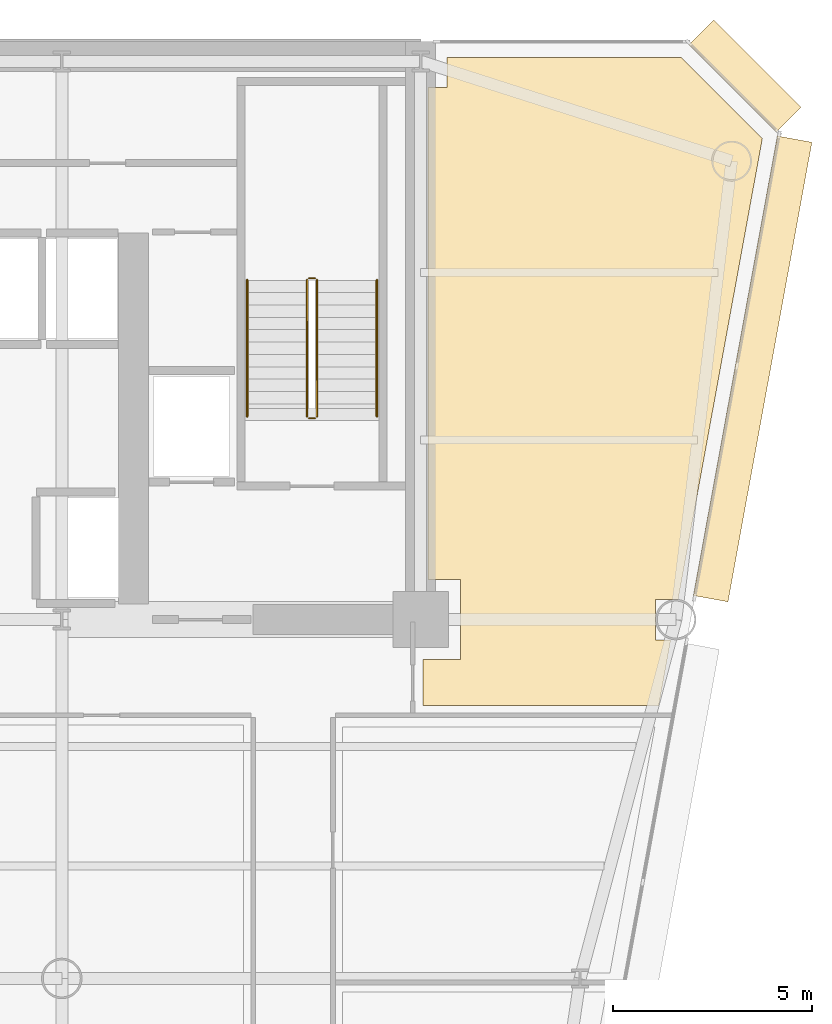
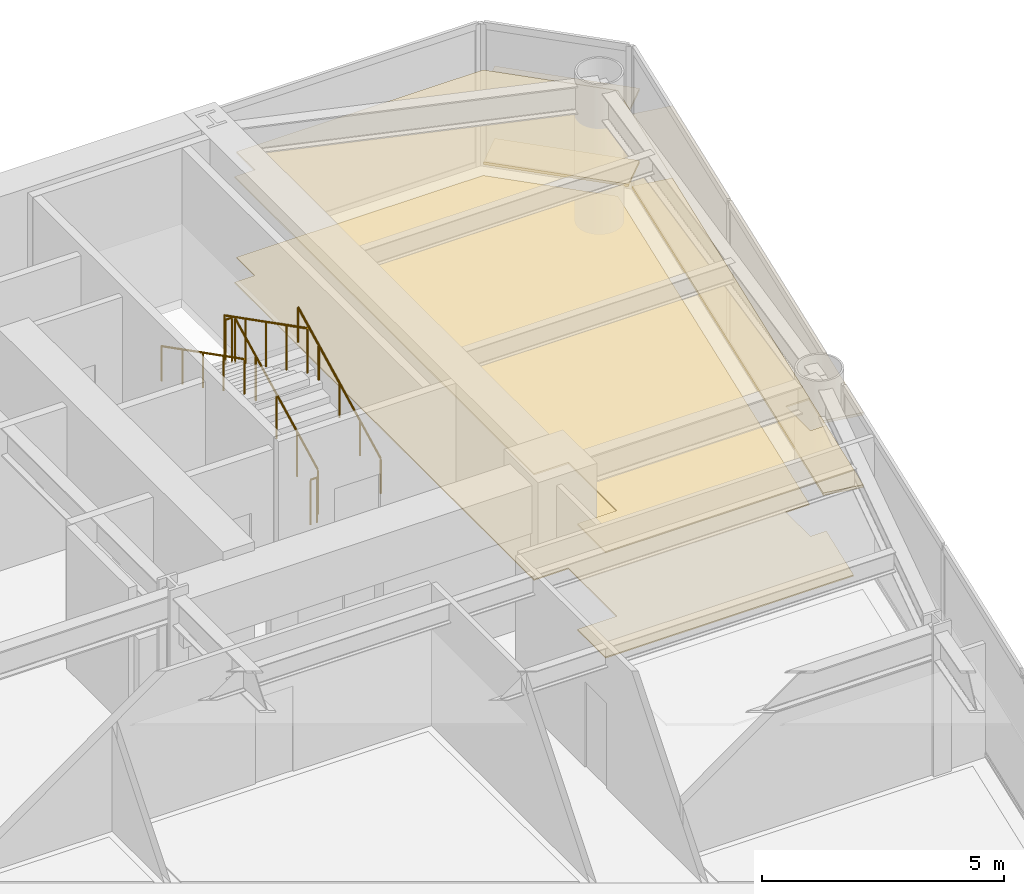
# One storey, part 14 of 14: 6 coverings, 6 railings.
"""IFC4 building model written with IfcOpenShell, lengths in metres."""

import ifcopenshell
import ifcopenshell.guid

model = None  # the IFC model being written
_history = None  # IfcOwnerHistory: only IFC2X3 demands one
_inside = {}  # id of a spatial element -> (the spatial element, [elements in it])
_under = {}  # id of a project, library or spatial element -> (it, [spatial elements below it])
_declared = {}  # id of a project -> (the project, [libraries it declares])
_typed = {}  # id of a type object -> (the type object, [elements of that type])
_made_of = {}  # id of a material, layer set ... -> (it, [elements and type objects made of it])


def new_model(schema):
    """Start an empty IFC model of exactly this schema.

    Asked for "IFC4X3", IfcOpenShell would pick the latest addendum, in which some entities
    have other attributes; the version numbers below select the first issue.
    IFC2X3 requires an IfcOwnerHistory on every rooted entity: one is made here for all.
    """
    global model, _history
    if schema == "IFC4X3":
        model = ifcopenshell.file(schema_version=(4, 3, 0, 0))
    else:
        model = ifcopenshell.file(schema=schema)
    _inside.clear()
    _under.clear()
    _declared.clear()
    _typed.clear()
    _made_of.clear()
    _history = None
    if model.schema == "IFC2X3":
        org = make("IfcOrganization", Name="unknown")
        user = make(
            "IfcPersonAndOrganization",
            ThePerson=make("IfcPerson", FamilyName="unknown"),
            TheOrganization=org,
        )
        app = make(
            "IfcApplication",
            ApplicationDeveloper=org,
            Version="unknown",
            ApplicationFullName="unknown",
            ApplicationIdentifier="unknown",
        )
        _history = make(
            "IfcOwnerHistory",
            OwningUser=user,
            OwningApplication=app,
            ChangeAction="ADDED",
            CreationDate=0,
        )
    return model


def make(cls, **values):
    """One entity of the class cls with the attributes given. An attribute that is None is left unset."""
    return model.create_entity(
        cls, **{name: value for name, value in values.items() if value is not None}
    )


def rooted(cls, **values):
    """An entity with a GlobalId (a new one), such as an element, a storey or a relation."""
    return make(cls, GlobalId=ifcopenshell.guid.new(), OwnerHistory=_history, **values)


def si_unit(unit_type, name, prefix=None):
    """IfcSIUnit, for example si_unit("LENGTHUNIT", "METRE", prefix="MILLI")."""
    return make("IfcSIUnit", UnitType=unit_type, Prefix=prefix, Name=name)


def assignment(units):
    """IfcUnitAssignment: the units of a project."""
    return None if units is None else make("IfcUnitAssignment", Units=units)


def point(xyz):
    """IfcCartesianPoint."""
    return None if xyz is None else make("IfcCartesianPoint", Coordinates=xyz)


def direction(xyz):
    """IfcDirection."""
    return None if xyz is None else make("IfcDirection", DirectionRatios=xyz)


def frame(location, z_axis=None, x_axis=None):
    """IfcAxis2Placement3D, a coordinate frame: its origin and axes. An axis left out is left unset."""
    return make(
        "IfcAxis2Placement3D",
        Location=point(location),
        Axis=direction(z_axis),
        RefDirection=direction(x_axis),
    )


def frame_2d(location, x_axis=None):
    """IfcAxis2Placement2D, a coordinate frame in the plane: its origin and x axis."""
    return make(
        "IfcAxis2Placement2D", Location=point(location), RefDirection=direction(x_axis)
    )


def origin():
    """The frame at (0, 0, 0) with its axes left unset."""
    return frame((0.0, 0.0, 0.0))


def origin_2d():
    """The frame at (0, 0) in the plane with its x axis left unset."""
    return frame_2d((0.0, 0.0))


def place(relative_to, where):
    """IfcLocalPlacement: puts the frame where relative to a parent placement (None: the world)."""
    return make(
        "IfcLocalPlacement", PlacementRelTo=relative_to, RelativePlacement=where
    )


def context(
    kind, dimensions, precision=None, world=None, true_north=None, identifier=None
):
    """IfcGeometricRepresentationContext, for example the 3D "Model" context."""
    return make(
        "IfcGeometricRepresentationContext",
        ContextIdentifier=identifier,
        ContextType=kind,
        CoordinateSpaceDimension=dimensions,
        Precision=precision,
        WorldCoordinateSystem=world,
        TrueNorth=true_north,
    )


def subcontext(parent, identifier, kind, view, scale=None):
    """IfcGeometricRepresentationSubContext, for example "Body" below "Model"."""
    return make(
        "IfcGeometricRepresentationSubContext",
        ContextIdentifier=identifier,
        ContextType=kind,
        ParentContext=parent,
        TargetScale=scale,
        TargetView=view,
    )


def project(units=None, contexts=None):
    """IfcProject with its units and contexts."""
    return rooted(
        "IfcProject",
        Name="project",
        RepresentationContexts=contexts,
        UnitsInContext=assignment(units),
    )


def spatial(cls, under=None, at=None, **own):
    """A site, building, storey or space (cls), placed at a placement, below another one or the project."""
    s = rooted(cls, ObjectPlacement=at, **own)
    if under is not None:
        _under.setdefault(under.id(), (under, []))[1].append(s)
    return s


def polyline(points):
    """IfcPolyline through the points."""
    return make("IfcPolyline", Points=[point(p) for p in points])


def profile(cls, at=None, kind="AREA", **sizes):
    """A parametric profile (cls). Its sizes go by their IFC names, for example OverallWidth=200.0."""
    return make(cls, ProfileType=kind, Position=at, **sizes)


def rectangle(**sizes):
    """IfcRectangleProfileDef."""
    return profile("IfcRectangleProfileDef", **sizes)


def circle(**sizes):
    """IfcCircleProfileDef."""
    return profile("IfcCircleProfileDef", **sizes)


def outline(outer, holes=None, kind="AREA"):
    """IfcArbitraryClosedProfileDef: a profile drawn as a closed curve; with holes, ...WithVoids."""
    if holes is None:
        return make("IfcArbitraryClosedProfileDef", ProfileType=kind, OuterCurve=outer)
    return make(
        "IfcArbitraryProfileDefWithVoids",
        ProfileType=kind,
        OuterCurve=outer,
        InnerCurves=holes,
    )


def extrude(swept, where, along, depth):
    """IfcExtrudedAreaSolid: the profile swept, set in the frame where, extruded along a direction by depth."""
    return make(
        "IfcExtrudedAreaSolid",
        SweptArea=swept,
        Position=where,
        ExtrudedDirection=direction(along),
        Depth=depth,
    )


def shape(context_of_items, identifier, shape_type, items):
    """IfcShapeRepresentation: the items that make up one representation, for example the "Body"."""
    return make(
        "IfcShapeRepresentation",
        ContextOfItems=context_of_items,
        RepresentationIdentifier=identifier,
        RepresentationType=shape_type,
        Items=items,
    )


def source(mapping_origin, context_of_items, identifier, shape_type, items):
    """IfcRepresentationMap: a shape defined once, which mapped items show again and again."""
    return make(
        "IfcRepresentationMap",
        MappingOrigin=mapping_origin,
        MappedRepresentation=shape(context_of_items, identifier, shape_type, items),
    )


def transform(
    local_origin,
    x_axis=None,
    y_axis=None,
    z_axis=None,
    scale=None,
    scale2=None,
    scale3=None,
    uniform=True,
):
    """IfcCartesianTransformationOperator3D, or its non-uniform kind. x_axis, y_axis, z_axis: its Axis1, 2, 3."""
    if uniform:
        return make(
            "IfcCartesianTransformationOperator3D",
            Axis1=direction(x_axis),
            Axis2=direction(y_axis),
            LocalOrigin=point(local_origin),
            Scale=scale,
            Axis3=direction(z_axis),
        )
    return make(
        "IfcCartesianTransformationOperator3DnonUniform",
        Axis1=direction(x_axis),
        Axis2=direction(y_axis),
        LocalOrigin=point(local_origin),
        Scale=scale,
        Axis3=direction(z_axis),
        Scale2=scale2,
        Scale3=scale3,
    )


def mapped(mapping_source, mapping_target):
    """IfcMappedItem: shows the shape of a source again, moved by a transform."""
    return make(
        "IfcMappedItem", MappingSource=mapping_source, MappingTarget=mapping_target
    )


def material(Name=None, Category=None):
    """IfcMaterial."""
    return make("IfcMaterial", Name=Name, Category=Category)


def layer(
    of_material, thickness, ventilated=None, Name=None, Category=None, Priority=None
):
    """IfcMaterialLayer: one layer of a wall or slab, of a material (None: an air gap)."""
    return make(
        "IfcMaterialLayer",
        Material=of_material,
        LayerThickness=thickness,
        IsVentilated=ventilated,
        Name=Name,
        Category=Category,
        Priority=Priority,
    )


def layer_set(layers, Name=None):
    """IfcMaterialLayerSet."""
    return make("IfcMaterialLayerSet", MaterialLayers=layers, LayerSetName=Name)


def made_of(thing, what):
    """Note that an element or type object is made of a material, layer set ...; save() writes the relation."""
    if what is not None:
        _made_of.setdefault(what.id(), (what, []))[1].append(thing)
    return thing


def type_object(cls, material=None, **own):
    """A type object (cls), such as IfcWallType, which elements share."""
    return made_of(rooted(cls, **own), material)


def element(
    cls,
    number,
    at=None,
    inside=None,
    cuts=None,
    type_object=None,
    material=None,
    context=None,
    identifier="Body",
    shape_type=None,
    held_by="IfcProductDefinitionShape",
    body=None,
    shapes=None,
    **own,
):
    """One element of the class cls, such as IfcWall. Its Tag is "e" and its number.

    at: its placement. inside: the storey or other place that contains it. cuts: it is an
    opening in that element (IfcRelVoidsElement). A single representation is given by context,
    identifier, shape_type and body (its items); several are given by shapes. held_by: the class
    of the entity that holds the representations. save() writes the other relations.
    """
    e = rooted(cls, Tag="e%d" % number, ObjectPlacement=at, **own)
    if body is not None:
        shapes = [shape(context, identifier, shape_type, body)]
    if shapes is not None:
        e.Representation = make(held_by, Representations=shapes)
    if inside is not None:
        _inside.setdefault(inside.id(), (inside, []))[1].append(e)
    if cuts is not None:
        rooted(
            "IfcRelVoidsElement", RelatingBuildingElement=cuts, RelatedOpeningElement=e
        )
    if type_object is not None:
        _typed.setdefault(type_object.id(), (type_object, []))[1].append(e)
    return made_of(e, material)


def aggregate(whole, parts):
    """IfcRelAggregates: a whole, such as a stair, and the parts it consists of."""
    return rooted("IfcRelAggregates", RelatingObject=whole, RelatedObjects=parts)


def save(model, path):
    """Write the relations noted so far, then the file.

    IfcRelAggregates (storeys below a building ...), IfcRelContainedInSpatialStructure (elements
    in a storey), IfcRelDefinesByType, IfcRelAssociatesMaterial and IfcRelDeclares: one each for
    every whole, place, type object, material and project.
    """
    for whole, parts in _under.values():
        aggregate(whole, parts)
    for where, things in _inside.values():
        rooted(
            "IfcRelContainedInSpatialStructure",
            RelatedElements=things,
            RelatingStructure=where,
        )
    for kind, things in _typed.values():
        rooted("IfcRelDefinesByType", RelatedObjects=things, RelatingType=kind)
    for what, things in _made_of.values():
        rooted("IfcRelAssociatesMaterial", RelatedObjects=things, RelatingMaterial=what)
    for by, libraries in _declared.values():
        rooted("IfcRelDeclares", RelatingContext=by, RelatedDefinitions=libraries)
    model.write(path)


model = new_model("IFC4")

# Units and contexts
model_context = context("Model", 3, precision=1e-05, world=origin(), true_north=direction((0.0, 1.0)))
body_context = subcontext(model_context, "Body", "Model", "MODEL_VIEW")
ifc_project = project(units=[si_unit("LENGTHUNIT", "METRE"), si_unit("AREAUNIT", "SQUARE_METRE"), si_unit("VOLUMEUNIT", "CUBIC_METRE"), si_unit("PLANEANGLEUNIT", "RADIAN"), si_unit("MASSUNIT", "GRAM", prefix="KILO")], contexts=[model_context])

# Site, building, storey
site_placement = place(None, origin())
site = spatial("IfcSite", under=ifc_project, at=site_placement, CompositionType="ELEMENT")
building_placement = place(site_placement, origin())
building = spatial("IfcBuilding", under=site, at=building_placement, Name="Vaeldorn Concourse Tower", CompositionType="ELEMENT")
storey_placement = place(building_placement, frame((0.0, 0.0, 92.0)))
storey = spatial("IfcBuildingStorey", under=building, at=storey_placement, Name="L23", CompositionType="ELEMENT", Elevation=92.0)

# Coverings
ifc_material_1 = material(Name="Acoustic Mineral Fibre Board", Category="gypsum")
ifc_layer_1 = layer(ifc_material_1, 0.0400390625)
ifc_layer_set_1 = layer_set([ifc_layer_1], Name="Acoustic Mineral Fibre Board")
covering_type_1 = type_object("IfcCoveringType", Name="COV-CEIL-ACOUSTIC", PredefinedType="CEILING", material=ifc_layer_set_1)
covering_1_placement = place(storey_placement, frame((0.0, 0.0, 2.64990234375)))
element("IfcCovering", 1, at=covering_1_placement, inside=storey, type_object=covering_type_1, Name="Suspended Acoustic Ceiling L23-4", PredefinedType="CEILING", context=body_context, shape_type="SweptSolid", body=[
    extrude(outline(polyline([(54.179931640625, 49.840087890625), (54.659912109375, 49.840087890625), (54.659912109375, 50.60009765625), (60.5341796875, 50.60009765625), (62.56884765625, 48.5654296875), (60.51513671875, 37.320068359375), (60.51513671875, 37.320068359375), (60.4580078125, 37.008056640625), (59.89208984375, 37.008056640625), (59.89208984375, 35.991943359375), (60.2724609375, 35.991943359375), (59.970703125, 34.340087890625), (54.06005859375, 34.340087890625), (54.06005859375, 35.5), (55.0, 35.5), (55.0, 37.5), (54.179931640625, 37.5), (54.179931640625, 49.840087890625)])), origin(), (0.0, 0.0, 1.0), 0.0400390625),
])
ifc_material_2 = material(Name="Honed Limestone Terrazzo Flooring", Category="masonry")
ifc_layer_2 = layer(ifc_material_2, 0.0400390625)
ifc_layer_set_2 = layer_set([ifc_layer_2], Name="Honed Limestone Terrazzo Flooring")
covering_type_2 = type_object("IfcCoveringType", Name="COV-FLOOR-STONE", PredefinedType="FLOORING", material=ifc_layer_set_2)
covering_2_placement = place(storey_placement, origin())
element("IfcCovering", 2, at=covering_2_placement, inside=storey, type_object=covering_type_2, Name="Floor Finish Covering L23-4", PredefinedType="FLOORING", context=body_context, shape_type="SweptSolid", body=[
    extrude(outline(polyline([(54.179931640625, 49.840087890625), (54.659912109375, 49.840087890625), (54.659912109375, 50.60009765625), (60.5341796875, 50.60009765625), (62.56884765625, 48.5654296875), (60.51513671875, 37.320068359375), (60.51513671875, 37.320068359375), (60.4580078125, 37.008056640625), (59.89208984375, 37.008056640625), (59.89208984375, 35.991943359375), (60.2724609375, 35.991943359375), (59.970703125, 34.340087890625), (54.06005859375, 34.340087890625), (54.06005859375, 35.5), (55.0, 35.5), (55.0, 37.5), (54.179931640625, 37.5), (54.179931640625, 49.840087890625)])), origin(), (0.0, 0.0, 1.0), 0.030029296875),
])

# Railings
ifc_material_3 = material(Name="Anodised Bronze Aluminium", Category="aluminium")
railing_type_1 = type_object("IfcRailingType", Name="RL-STAIR-GUARD", PredefinedType="GUARDRAIL", material=ifc_material_3)
railing_1_placement = place(storey_placement, frame((51.39990234375, 41.60009765625, 0.158447265625)))
element("IfcRailing", 3, at=railing_1_placement, inside=storey, type_object=railing_type_1, Name="L23 ST-2 stair guard 1", PredefinedType="GUARDRAIL", context=body_context, shape_type="SweptSolid", body=[
    extrude(circle(Radius=0.02392578125, at=origin_2d()), frame((0.0, 0.0, 1.1259765625), z_axis=(0.0, 0.890581635807, 0.454823427236), x_axis=(-1.0, 0.0, 0.0)), (0.0, 0.0, 1.0), 3.828857421875),
    extrude(circle(Radius=0.02099609375, at=origin_2d()), origin(), (0.0, 0.0, 1.0), 1.101806640625),
    extrude(circle(Radius=0.02099609375, at=origin_2d()), frame((0.0, 0.8525390625, 0.435302734375)), (0.0, 0.0, 1.0), 1.101806640625),
    extrude(circle(Radius=0.02099609375, at=origin_2d()), frame((0.0, 1.705078125, 0.87060546875)), (0.0, 0.0, 1.0), 1.101806640625),
    extrude(circle(Radius=0.02099609375, at=origin_2d()), frame((0.0, 2.557373046875, 1.30615234375)), (0.0, 0.0, 1.0), 1.101806640625),
    extrude(circle(Radius=0.02099609375, at=origin_2d()), frame((0.0, 3.409912109375, 1.741455078125)), (0.0, 0.0, 1.0), 1.101806640625),
])
railing_2_placement = place(storey_placement, frame((51.35009765625, 45.06005859375, 1.89990234375)))
element("IfcRailing", 4, at=railing_2_placement, inside=storey, type_object=railing_type_1, Name="L23 ST-2 stair guard 2", PredefinedType="GUARDRAIL", context=body_context, shape_type="SweptSolid", body=[
    extrude(circle(Radius=0.02392578125, at=origin_2d()), frame((0.0, 0.0, 1.1259765625), z_axis=(-1.0, 0.0, 0.0), x_axis=(0.0, -1.0, 0.0)), (0.0, 0.0, 1.0), 0.150146484375),
    extrude(circle(Radius=0.02099609375, at=origin_2d()), origin(), (0.0, 0.0, 1.0), 1.101806640625),
    extrude(circle(Radius=0.02099609375, at=origin_2d()), frame((-0.150146484375, 0.0, 0.0)), (0.0, 0.0, 1.0), 1.101806640625),
])
railing_3_placement = place(storey_placement, frame((51.14990234375, 45.010009765625, 2.058349609375)))
element("IfcRailing", 5, at=railing_3_placement, inside=storey, type_object=railing_type_1, Name="L23 ST-2 stair guard 3", PredefinedType="GUARDRAIL", context=body_context, shape_type="SweptSolid", body=[
    extrude(circle(Radius=0.02392578125, at=origin_2d()), frame((0.0, 0.0, 1.1259765625), z_axis=(0.0, -0.890555807335, 0.454873997962), x_axis=(1.0, 0.0, 0.0)), (0.0, 0.0, 1.0), 3.828857421875),
    extrude(circle(Radius=0.02099609375, at=origin_2d()), origin(), (0.0, 0.0, 1.0), 1.101806640625),
    extrude(circle(Radius=0.02099609375, at=origin_2d()), frame((0.0, -0.8525390625, 0.435546875)), (0.0, 0.0, 1.0), 1.101806640625),
    extrude(circle(Radius=0.02099609375, at=origin_2d()), frame((0.0, -1.705078125, 0.870849609375)), (0.0, 0.0, 1.0), 1.101806640625),
    extrude(circle(Radius=0.02099609375, at=origin_2d()), frame((0.0, -2.557373046875, 1.30615234375)), (0.0, 0.0, 1.0), 1.101806640625),
    extrude(circle(Radius=0.02099609375, at=origin_2d()), frame((0.0, -3.409912109375, 1.74169921875)), (0.0, 0.0, 1.0), 1.101806640625),
])
railing_4_placement = place(storey_placement, frame((51.35009765625, 41.550048828125, 0.0)))
element("IfcRailing", 6, at=railing_4_placement, inside=storey, type_object=railing_type_1, Name="L23 ST-2 stair guard 4", PredefinedType="GUARDRAIL", context=body_context, shape_type="SweptSolid", body=[
    extrude(circle(Radius=0.02392578125, at=origin_2d()), frame((0.0, 0.0, 1.1259765625), z_axis=(-1.0, 0.0, 0.0), x_axis=(0.0, -1.0, 0.0)), (0.0, 0.0, 1.0), 0.150146484375),
    extrude(circle(Radius=0.02099609375, at=origin_2d()), origin(), (0.0, 0.0, 1.0), 1.101806640625),
    extrude(circle(Radius=0.02099609375, at=origin_2d()), frame((-0.150146484375, 0.0, 0.0)), (0.0, 0.0, 1.0), 1.101806640625),
])
railing_type_2 = type_object("IfcRailingType", Name="RL-STAIR-HANDRAIL", PredefinedType="HANDRAIL", material=ifc_material_3)
railing_5_placement = place(storey_placement, frame((52.89990234375, 41.60009765625, 0.158447265625)))
element("IfcRailing", 7, at=railing_5_placement, inside=storey, type_object=railing_type_2, Name="L23 ST-2 stair handrail 1", PredefinedType="HANDRAIL", context=body_context, shape_type="SweptSolid", body=[
    extrude(circle(Radius=0.02392578125, at=origin_2d()), frame((0.0, 0.0, 0.8759765625), z_axis=(0.0, 0.890581635807, 0.454823427236), x_axis=(-1.0, 0.0, 0.0)), (0.0, 0.0, 1.0), 3.828857421875),
    extrude(circle(Radius=0.02099609375, at=origin_2d()), origin(), (0.0, 0.0, 1.0), 0.851806640625),
    extrude(circle(Radius=0.02099609375, at=origin_2d()), frame((0.0, 0.8525390625, 0.435302734375)), (0.0, 0.0, 1.0), 0.851806640625),
    extrude(circle(Radius=0.02099609375, at=origin_2d()), frame((0.0, 1.705078125, 0.87060546875)), (0.0, 0.0, 1.0), 0.851806640625),
    extrude(circle(Radius=0.02099609375, at=origin_2d()), frame((0.0, 2.557373046875, 1.30615234375)), (0.0, 0.0, 1.0), 0.851806640625),
    extrude(circle(Radius=0.02099609375, at=origin_2d()), frame((0.0, 3.409912109375, 1.741455078125)), (0.0, 0.0, 1.0), 0.851806640625),
])
railing_6_placement = place(storey_placement, frame((49.64990234375, 45.010009765625, 2.058349609375)))
element("IfcRailing", 8, at=railing_6_placement, inside=storey, type_object=railing_type_2, Name="L23 ST-2 stair handrail 2", PredefinedType="HANDRAIL", context=body_context, shape_type="SweptSolid", body=[
    extrude(circle(Radius=0.02392578125, at=origin_2d()), frame((0.0, 0.0, 0.8759765625), z_axis=(0.0, -0.890555807335, 0.454873997962), x_axis=(1.0, 0.0, 0.0)), (0.0, 0.0, 1.0), 3.828857421875),
    extrude(circle(Radius=0.02099609375, at=origin_2d()), origin(), (0.0, 0.0, 1.0), 0.851806640625),
    extrude(circle(Radius=0.02099609375, at=origin_2d()), frame((0.0, -0.8525390625, 0.435546875)), (0.0, 0.0, 1.0), 0.851806640625),
    extrude(circle(Radius=0.02099609375, at=origin_2d()), frame((0.0, -1.705078125, 0.870849609375)), (0.0, 0.0, 1.0), 0.851806640625),
    extrude(circle(Radius=0.02099609375, at=origin_2d()), frame((0.0, -2.557373046875, 1.30615234375)), (0.0, 0.0, 1.0), 0.851806640625),
    extrude(circle(Radius=0.02099609375, at=origin_2d()), frame((0.0, -3.409912109375, 1.74169921875)), (0.0, 0.0, 1.0), 0.851806640625),
])

# Coverings
ifc_layer_3 = layer(ifc_material_3, 0.06494140625)
ifc_layer_set_3 = layer_set([ifc_layer_3], Name="Anodised Bronze Aluminium")
covering_type_3 = type_object("IfcCoveringType", Name="SD-BRONZE-SUNSHADE", PredefinedType="USERDEFINED", material=ifc_layer_set_3)
shared_shape_1 = source(origin(), body_context, "Body", "SweptSolid", [
    extrude(rectangle(XDim=3.0927734375, YDim=0.8798828125, at=origin_2d()), origin(), (0.0, 0.0, 1.0), 0.06494140625),
])
for number, where, z_axis, x_axis, name in (
    (9, (62.1328125, 50.1328125, 0.047607421875), (0.0, 0.0, 1.0), (-0.707106781187, 0.707106781187, 0.0), "Horizontal Bronze Sunshade L23-E08.1.1"),
    (10, (62.1328125, 50.1328125, 1.867431640625), (0.0, 0.0, 1.0), (-0.707106781187, 0.707106781187, 0.0), "Horizontal Bronze Sunshade L23-E08.1.2"),
):
    element("IfcCovering", number, at=place(storey_placement, frame(where, z_axis=z_axis, x_axis=x_axis)), inside=storey, type_object=covering_type_3, Name=name, ObjectType="SUNSHADE", PredefinedType="USERDEFINED", context=body_context, shape_type="MappedRepresentation", body=[
        mapped(shared_shape_1, transform((0.0, 0.0, 0.0), scale=1.0)),
    ])
shared_shape_2 = source(origin(), body_context, "Body", "SweptSolid", [
    extrude(rectangle(XDim=11.715087890625, YDim=0.8798828125, at=origin_2d()), origin(), (0.0, 0.0, 1.0), 0.06494140625),
])
for number, where, z_axis, x_axis, name in (
    (11, (62.32666015625, 42.787109375, 0.047607421875), (0.0, 0.0, 1.0), (0.179660748593, 0.98372862895, 0.0), "Horizontal Bronze Sunshade L23-E07.2.1"),
    (12, (62.32666015625, 42.787109375, 1.867431640625), (0.0, 0.0, 1.0), (0.179660748593, 0.98372862895, 0.0), "Horizontal Bronze Sunshade L23-E07.2.2"),
):
    element("IfcCovering", number, at=place(storey_placement, frame(where, z_axis=z_axis, x_axis=x_axis)), inside=storey, type_object=covering_type_3, Name=name, ObjectType="SUNSHADE", PredefinedType="USERDEFINED", context=body_context, shape_type="MappedRepresentation", body=[
        mapped(shared_shape_2, transform((0.0, 0.0, 0.0), scale=1.0)),
    ])

save(model, "model.ifc")
